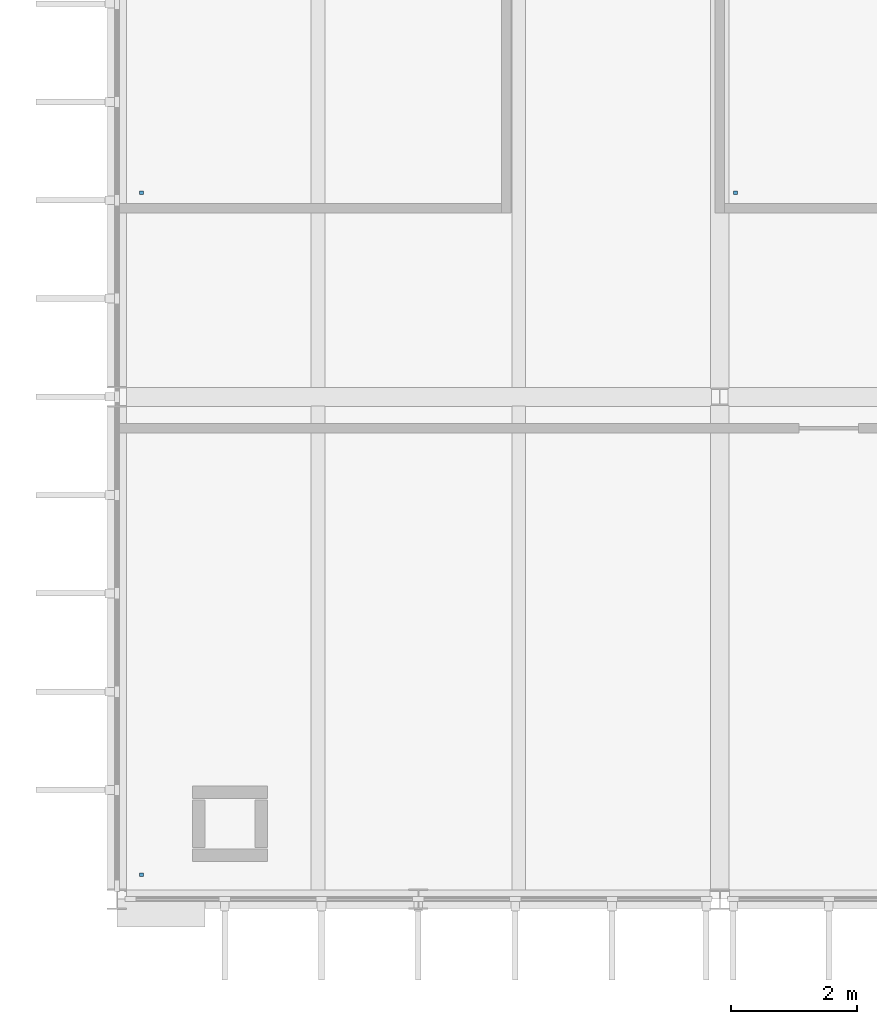
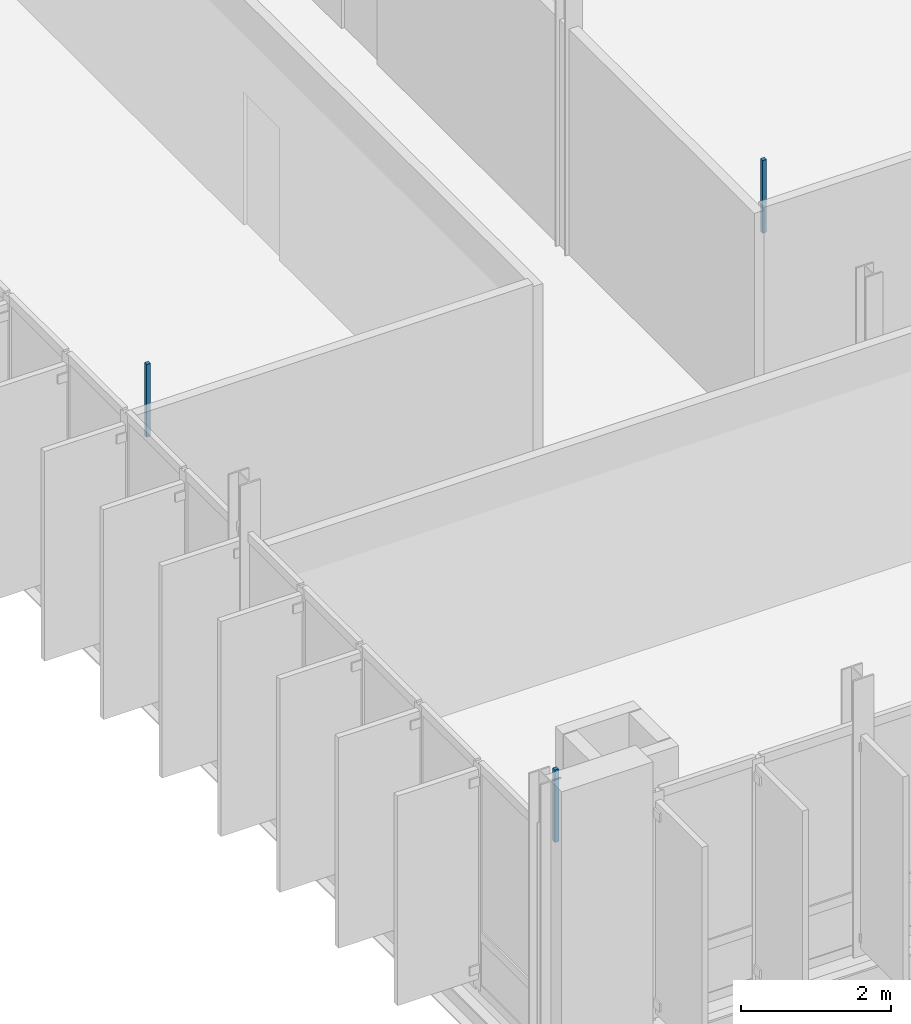
# One storey, part 37 of 59: 3 discrete accessories.
"""IFC4 building model written with IfcOpenShell, lengths in metres."""

from ifc_helpers import new_model, si_unit, direction, frame, origin, place, context, subcontext, project, spatial, polyline, outline, extrude, material, type_object, element, save


model = new_model("IFC4")

# Units and contexts
model_context = context("Model", 3, precision=1e-05, world=origin(), true_north=direction((0.0, 1.0)))
body_context = subcontext(model_context, "Body", "Model", "MODEL_VIEW")
ifc_project = project(units=[si_unit("LENGTHUNIT", "METRE"), si_unit("AREAUNIT", "SQUARE_METRE"), si_unit("VOLUMEUNIT", "CUBIC_METRE"), si_unit("PLANEANGLEUNIT", "RADIAN"), si_unit("MASSUNIT", "GRAM", prefix="KILO")], contexts=[model_context])

# Site, building, storey
site_placement = place(None, origin())
site = spatial("IfcSite", under=ifc_project, at=site_placement, CompositionType="ELEMENT")
building_placement = place(site_placement, origin())
building = spatial("IfcBuilding", under=site, at=building_placement, Name="Dunescarp Central Library", CompositionType="ELEMENT")
storey_placement = place(building_placement, frame((0.0, 0.0, 18.60009765625)))
storey = spatial("IfcBuildingStorey", under=building, at=storey_placement, Name="L04", CompositionType="ELEMENT", Elevation=18.60009765625)

# Discrete accessories
ifc_material = material(Name="Stainless steel Grade 316L", Category="steel")
discrete_accessory_type = type_object("IfcDiscreteAccessoryType", Name="ARC-ACC-BRK", PredefinedType="BRACKET", material=ifc_material)
discrete_accessory_1_placement = place(storey_placement, frame((0.0, 0.0, 3.059814453125)))
element("IfcDiscreteAccessory", 1, at=discrete_accessory_1_placement, inside=storey, type_object=discrete_accessory_type, Name="L04 ceiling hanger CLG-L04-031-H1", PredefinedType="BRACKET", context=body_context, shape_type="SweptSolid", body=[
    extrude(outline(polyline([(0.360107421875, 5.159912109375), (0.419921875, 5.159912109375), (0.419921875, 5.219970703125), (0.360107421875, 5.219970703125), (0.360107421875, 5.159912109375)])), origin(), (0.0, 0.0, 1.0), 1.18017578125),
])
discrete_accessory_2_placement = place(storey_placement, frame((0.0, 0.0, 3.059814453125)))
element("IfcDiscreteAccessory", 2, at=discrete_accessory_2_placement, inside=storey, type_object=discrete_accessory_type, Name="L04 ceiling hanger CLG-L04-033-H1", PredefinedType="BRACKET", context=body_context, shape_type="SweptSolid", body=[
    extrude(outline(polyline([(0.360107421875, 16.02001953125), (0.419921875, 16.02001953125), (0.419921875, 16.080078125), (0.360107421875, 16.080078125), (0.360107421875, 16.02001953125)])), origin(), (0.0, 0.0, 1.0), 1.18017578125),
])
discrete_accessory_3_placement = place(storey_placement, frame((0.0, 0.0, 3.059814453125)))
element("IfcDiscreteAccessory", 3, at=discrete_accessory_3_placement, inside=storey, type_object=discrete_accessory_type, Name="L04 ceiling hanger CLG-L04-034-H1", PredefinedType="BRACKET", context=body_context, shape_type="SweptSolid", body=[
    extrude(outline(polyline([(9.820068359375, 16.02001953125), (9.8798828125, 16.02001953125), (9.8798828125, 16.080078125), (9.820068359375, 16.080078125), (9.820068359375, 16.02001953125)])), origin(), (0.0, 0.0, 1.0), 1.18017578125),
])

save(model, "model.ifc")
